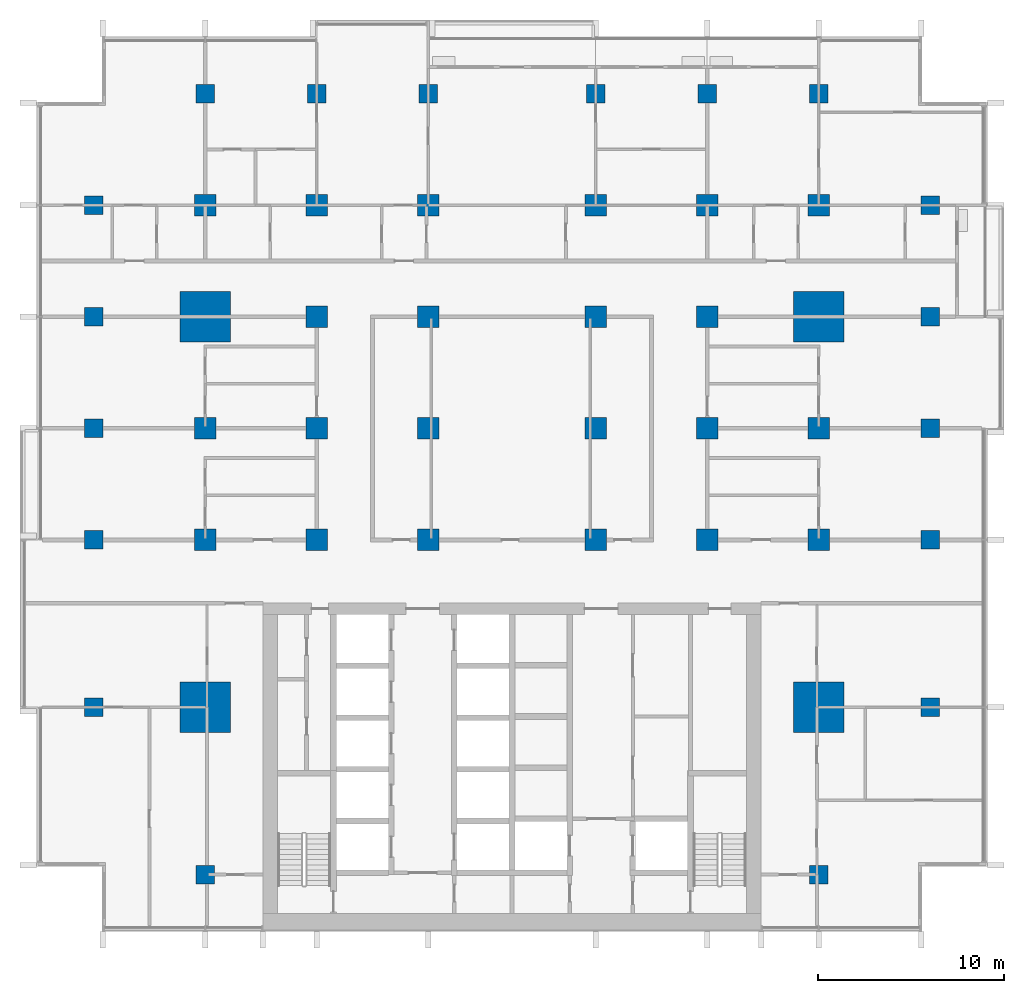
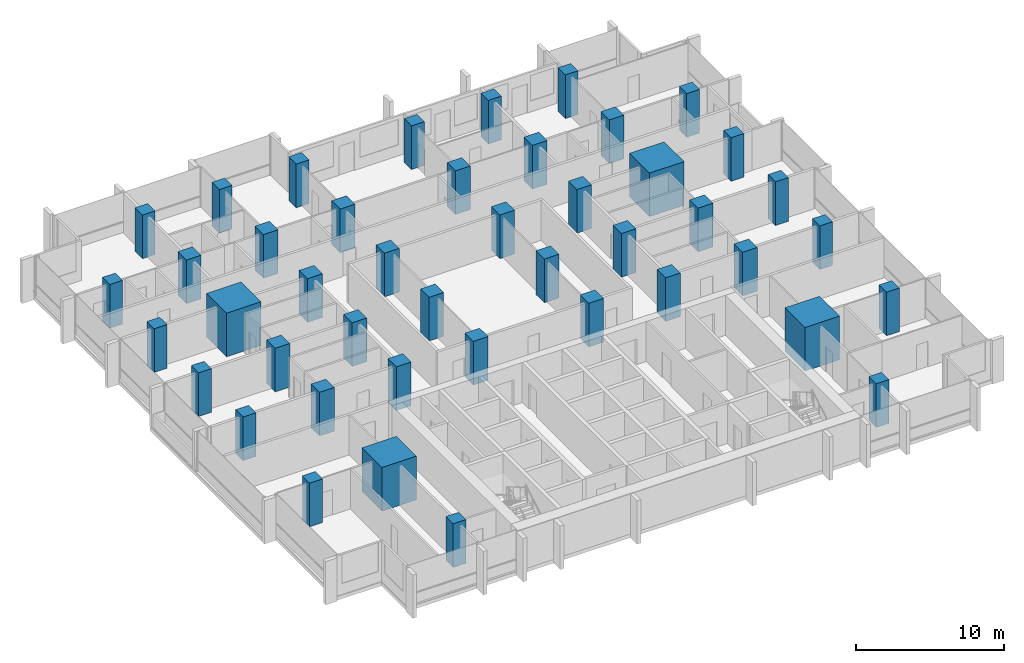
# One storey, part 1 of 17: 44 columns.
"""IFC4 building model written with IfcOpenShell, lengths in metres."""

import ifcopenshell
import ifcopenshell.guid

model = None  # the IFC model being written
_history = None  # IfcOwnerHistory: only IFC2X3 demands one
_inside = {}  # id of a spatial element -> (the spatial element, [elements in it])
_under = {}  # id of a project, library or spatial element -> (it, [spatial elements below it])
_declared = {}  # id of a project -> (the project, [libraries it declares])
_typed = {}  # id of a type object -> (the type object, [elements of that type])
_made_of = {}  # id of a material, layer set ... -> (it, [elements and type objects made of it])


def new_model(schema):
    """Start an empty IFC model of exactly this schema.

    Asked for "IFC4X3", IfcOpenShell would pick the latest addendum, in which some entities
    have other attributes; the version numbers below select the first issue.
    IFC2X3 requires an IfcOwnerHistory on every rooted entity: one is made here for all.
    """
    global model, _history
    if schema == "IFC4X3":
        model = ifcopenshell.file(schema_version=(4, 3, 0, 0))
    else:
        model = ifcopenshell.file(schema=schema)
    _inside.clear()
    _under.clear()
    _declared.clear()
    _typed.clear()
    _made_of.clear()
    _history = None
    if model.schema == "IFC2X3":
        org = make("IfcOrganization", Name="unknown")
        user = make(
            "IfcPersonAndOrganization",
            ThePerson=make("IfcPerson", FamilyName="unknown"),
            TheOrganization=org,
        )
        app = make(
            "IfcApplication",
            ApplicationDeveloper=org,
            Version="unknown",
            ApplicationFullName="unknown",
            ApplicationIdentifier="unknown",
        )
        _history = make(
            "IfcOwnerHistory",
            OwningUser=user,
            OwningApplication=app,
            ChangeAction="ADDED",
            CreationDate=0,
        )
    return model


def make(cls, **values):
    """One entity of the class cls with the attributes given. An attribute that is None is left unset."""
    return model.create_entity(
        cls, **{name: value for name, value in values.items() if value is not None}
    )


def rooted(cls, **values):
    """An entity with a GlobalId (a new one), such as an element, a storey or a relation."""
    return make(cls, GlobalId=ifcopenshell.guid.new(), OwnerHistory=_history, **values)


def si_unit(unit_type, name, prefix=None):
    """IfcSIUnit, for example si_unit("LENGTHUNIT", "METRE", prefix="MILLI")."""
    return make("IfcSIUnit", UnitType=unit_type, Prefix=prefix, Name=name)


def assignment(units):
    """IfcUnitAssignment: the units of a project."""
    return None if units is None else make("IfcUnitAssignment", Units=units)


def point(xyz):
    """IfcCartesianPoint."""
    return None if xyz is None else make("IfcCartesianPoint", Coordinates=xyz)


def direction(xyz):
    """IfcDirection."""
    return None if xyz is None else make("IfcDirection", DirectionRatios=xyz)


def frame(location, z_axis=None, x_axis=None):
    """IfcAxis2Placement3D, a coordinate frame: its origin and axes. An axis left out is left unset."""
    return make(
        "IfcAxis2Placement3D",
        Location=point(location),
        Axis=direction(z_axis),
        RefDirection=direction(x_axis),
    )


def frame_2d(location, x_axis=None):
    """IfcAxis2Placement2D, a coordinate frame in the plane: its origin and x axis."""
    return make(
        "IfcAxis2Placement2D", Location=point(location), RefDirection=direction(x_axis)
    )


def origin():
    """The frame at (0, 0, 0) with its axes left unset."""
    return frame((0.0, 0.0, 0.0))


def origin_2d():
    """The frame at (0, 0) in the plane with its x axis left unset."""
    return frame_2d((0.0, 0.0))


def place(relative_to, where):
    """IfcLocalPlacement: puts the frame where relative to a parent placement (None: the world)."""
    return make(
        "IfcLocalPlacement", PlacementRelTo=relative_to, RelativePlacement=where
    )


def context(
    kind, dimensions, precision=None, world=None, true_north=None, identifier=None
):
    """IfcGeometricRepresentationContext, for example the 3D "Model" context."""
    return make(
        "IfcGeometricRepresentationContext",
        ContextIdentifier=identifier,
        ContextType=kind,
        CoordinateSpaceDimension=dimensions,
        Precision=precision,
        WorldCoordinateSystem=world,
        TrueNorth=true_north,
    )


def subcontext(parent, identifier, kind, view, scale=None):
    """IfcGeometricRepresentationSubContext, for example "Body" below "Model"."""
    return make(
        "IfcGeometricRepresentationSubContext",
        ContextIdentifier=identifier,
        ContextType=kind,
        ParentContext=parent,
        TargetScale=scale,
        TargetView=view,
    )


def project(units=None, contexts=None):
    """IfcProject with its units and contexts."""
    return rooted(
        "IfcProject",
        Name="project",
        RepresentationContexts=contexts,
        UnitsInContext=assignment(units),
    )


def spatial(cls, under=None, at=None, **own):
    """A site, building, storey or space (cls), placed at a placement, below another one or the project."""
    s = rooted(cls, ObjectPlacement=at, **own)
    if under is not None:
        _under.setdefault(under.id(), (under, []))[1].append(s)
    return s


def profile(cls, at=None, kind="AREA", **sizes):
    """A parametric profile (cls). Its sizes go by their IFC names, for example OverallWidth=200.0."""
    return make(cls, ProfileType=kind, Position=at, **sizes)


def rectangle(**sizes):
    """IfcRectangleProfileDef."""
    return profile("IfcRectangleProfileDef", **sizes)


def extrude(swept, where, along, depth):
    """IfcExtrudedAreaSolid: the profile swept, set in the frame where, extruded along a direction by depth."""
    return make(
        "IfcExtrudedAreaSolid",
        SweptArea=swept,
        Position=where,
        ExtrudedDirection=direction(along),
        Depth=depth,
    )


def shape(context_of_items, identifier, shape_type, items):
    """IfcShapeRepresentation: the items that make up one representation, for example the "Body"."""
    return make(
        "IfcShapeRepresentation",
        ContextOfItems=context_of_items,
        RepresentationIdentifier=identifier,
        RepresentationType=shape_type,
        Items=items,
    )


def material(Name=None, Category=None):
    """IfcMaterial."""
    return make("IfcMaterial", Name=Name, Category=Category)


def material_profile(
    of_material, cross_section, Name=None, Category=None, Priority=None
):
    """IfcMaterialProfile: a cross section and its material."""
    return make(
        "IfcMaterialProfile",
        Name=Name,
        Material=of_material,
        Profile=cross_section,
        Priority=Priority,
        Category=Category,
    )


def profile_set(profiles, Name=None, composite=None):
    """IfcMaterialProfileSet."""
    return make(
        "IfcMaterialProfileSet",
        Name=Name,
        MaterialProfiles=profiles,
        CompositeProfile=composite,
    )


def made_of(thing, what):
    """Note that an element or type object is made of a material, layer set ...; save() writes the relation."""
    if what is not None:
        _made_of.setdefault(what.id(), (what, []))[1].append(thing)
    return thing


def type_object(cls, material=None, **own):
    """A type object (cls), such as IfcWallType, which elements share."""
    return made_of(rooted(cls, **own), material)


def element(
    cls,
    number,
    at=None,
    inside=None,
    cuts=None,
    type_object=None,
    material=None,
    context=None,
    identifier="Body",
    shape_type=None,
    held_by="IfcProductDefinitionShape",
    body=None,
    shapes=None,
    **own,
):
    """One element of the class cls, such as IfcWall. Its Tag is "e" and its number.

    at: its placement. inside: the storey or other place that contains it. cuts: it is an
    opening in that element (IfcRelVoidsElement). A single representation is given by context,
    identifier, shape_type and body (its items); several are given by shapes. held_by: the class
    of the entity that holds the representations. save() writes the other relations.
    """
    e = rooted(cls, Tag="e%d" % number, ObjectPlacement=at, **own)
    if body is not None:
        shapes = [shape(context, identifier, shape_type, body)]
    if shapes is not None:
        e.Representation = make(held_by, Representations=shapes)
    if inside is not None:
        _inside.setdefault(inside.id(), (inside, []))[1].append(e)
    if cuts is not None:
        rooted(
            "IfcRelVoidsElement", RelatingBuildingElement=cuts, RelatedOpeningElement=e
        )
    if type_object is not None:
        _typed.setdefault(type_object.id(), (type_object, []))[1].append(e)
    return made_of(e, material)


def aggregate(whole, parts):
    """IfcRelAggregates: a whole, such as a stair, and the parts it consists of."""
    return rooted("IfcRelAggregates", RelatingObject=whole, RelatedObjects=parts)


def save(model, path):
    """Write the relations noted so far, then the file.

    IfcRelAggregates (storeys below a building ...), IfcRelContainedInSpatialStructure (elements
    in a storey), IfcRelDefinesByType, IfcRelAssociatesMaterial and IfcRelDeclares: one each for
    every whole, place, type object, material and project.
    """
    for whole, parts in _under.values():
        aggregate(whole, parts)
    for where, things in _inside.values():
        rooted(
            "IfcRelContainedInSpatialStructure",
            RelatedElements=things,
            RelatingStructure=where,
        )
    for kind, things in _typed.values():
        rooted("IfcRelDefinesByType", RelatedObjects=things, RelatingType=kind)
    for what, things in _made_of.values():
        rooted("IfcRelAssociatesMaterial", RelatedObjects=things, RelatingMaterial=what)
    for by, libraries in _declared.values():
        rooted("IfcRelDeclares", RelatingContext=by, RelatedDefinitions=libraries)
    model.write(path)


model = new_model("IFC4")

# Units and contexts
model_context = context("Model", 3, precision=1e-05, world=origin(), true_north=direction((0.0, 1.0)))
body_context = subcontext(model_context, "Body", "Model", "MODEL_VIEW")
ifc_project = project(units=[si_unit("LENGTHUNIT", "METRE"), si_unit("AREAUNIT", "SQUARE_METRE"), si_unit("VOLUMEUNIT", "CUBIC_METRE"), si_unit("PLANEANGLEUNIT", "RADIAN"), si_unit("MASSUNIT", "GRAM", prefix="KILO")], contexts=[model_context])

# Site, building, storey
site_placement = place(None, origin())
site = spatial("IfcSite", under=ifc_project, at=site_placement, CompositionType="ELEMENT")
building_placement = place(site_placement, origin())
building = spatial("IfcBuilding", under=site, at=building_placement, Name="Finial Court Residences", CompositionType="ELEMENT")
storey_placement = place(building_placement, frame((0.0, 0.0, 124.300048828125)))
storey = spatial("IfcBuildingStorey", under=building, at=storey_placement, Name="L31", CompositionType="ELEMENT", Elevation=124.300048828125)

# Columns
ifc_material = material(Name="Concrete C70/85", Category="concrete")
ifc_material_profile_1 = material_profile(ifc_material, rectangle(XDim=1.14990234375, YDim=1.14990234375, at=origin_2d()), Name="1150x1150")
ifc_profile_set_1 = profile_set([ifc_material_profile_1], Name="Concrete C70/85")
column_type_1 = type_object("IfcColumnType", Name="Interior column 1150x1150 Concrete C70/85", PredefinedType="COLUMN", material=ifc_profile_set_1)
for number, where, z_axis, x_axis, name in (
    (1, (-16.5, -4.5, 0.0), (0.0, 0.0, 1.0), (1.0, 0.0, 0.0), "S:COL:L31:C4"),
    (2, (-16.5, 1.5, 0.0), (0.0, 0.0, 1.0), (1.0, 0.0, 0.0), "S:COL:L31:C5"),
    (3, (-16.5, 13.5, 0.0), (0.0, 0.0, 1.0), (1.0, 0.0, 0.0), "S:COL:L31:C7"),
    (4, (-10.5, -4.5, 0.0), (0.0, 0.0, 1.0), (1.0, 0.0, 0.0), "S:COL:L31:D4"),
    (5, (-10.5, 1.5, 0.0), (0.0, 0.0, 1.0), (1.0, 0.0, 0.0), "S:COL:L31:D5"),
    (6, (-10.5, 7.5, 0.0), (0.0, 0.0, 1.0), (1.0, 0.0, 0.0), "S:COL:L31:D6"),
    (7, (-10.5, 13.5, 0.0), (0.0, 0.0, 1.0), (1.0, 0.0, 0.0), "S:COL:L31:D7"),
    (8, (-4.5, -4.5, 0.0), (0.0, 0.0, 1.0), (1.0, 0.0, 0.0), "S:COL:L31:E4"),
    (9, (-4.5, 1.5, 0.0), (0.0, 0.0, 1.0), (1.0, 0.0, 0.0), "S:COL:L31:E5"),
    (10, (-4.5, 7.5, 0.0), (0.0, 0.0, 1.0), (1.0, 0.0, 0.0), "S:COL:L31:E6"),
    (11, (-4.5, 13.5, 0.0), (0.0, 0.0, 1.0), (1.0, 0.0, 0.0), "S:COL:L31:E7"),
    (12, (4.5, -4.5, 0.0), (0.0, 0.0, 1.0), (1.0, 0.0, 0.0), "S:COL:L31:F4"),
    (13, (4.5, 1.5, 0.0), (0.0, 0.0, 1.0), (1.0, 0.0, 0.0), "S:COL:L31:F5"),
    (14, (4.5, 7.5, 0.0), (0.0, 0.0, 1.0), (1.0, 0.0, 0.0), "S:COL:L31:F6"),
    (15, (4.5, 13.5, 0.0), (0.0, 0.0, 1.0), (1.0, 0.0, 0.0), "S:COL:L31:F7"),
    (16, (10.5, -4.5, 0.0), (0.0, 0.0, 1.0), (1.0, 0.0, 0.0), "S:COL:L31:G4"),
    (17, (10.5, 1.5, 0.0), (0.0, 0.0, 1.0), (1.0, 0.0, 0.0), "S:COL:L31:G5"),
    (18, (10.5, 7.5, 0.0), (0.0, 0.0, 1.0), (1.0, 0.0, 0.0), "S:COL:L31:G6"),
    (19, (10.5, 13.5, 0.0), (0.0, 0.0, 1.0), (1.0, 0.0, 0.0), "S:COL:L31:G7"),
    (20, (16.5, -4.5, 0.0), (0.0, 0.0, 1.0), (1.0, 0.0, 0.0), "S:COL:L31:H4"),
    (21, (16.5, 1.5, 0.0), (0.0, 0.0, 1.0), (1.0, 0.0, 0.0), "S:COL:L31:H5"),
    (22, (16.5, 13.5, 0.0), (0.0, 0.0, 1.0), (1.0, 0.0, 0.0), "S:COL:L31:H7"),
):
    element("IfcColumn", number, at=place(storey_placement, frame(where, z_axis=z_axis, x_axis=x_axis)), inside=storey, type_object=column_type_1, Name=name, PredefinedType="COLUMN", context=body_context, shape_type="SweptSolid", body=[
        extrude(rectangle(XDim=1.14990234375, YDim=1.14990234375, at=origin_2d()), origin(), (0.0, 0.0, 1.0), 3.599853515625),
    ])
ifc_material_profile_2 = material_profile(ifc_material, rectangle(XDim=2.699951171875, YDim=2.699951171875, at=origin_2d()), Name="2700x2700")
ifc_profile_set_2 = profile_set([ifc_material_profile_2], Name="Concrete C70/85")
column_type_2 = type_object("IfcColumnType", Name="Mega column 2700x2700 Concrete C70/85", PredefinedType="COLUMN", material=ifc_profile_set_2)
for number, where, z_axis, x_axis, name in (
    (23, (-16.5, -13.5, 0.0), (0.0, 0.0, 1.0), (1.0, 0.0, 0.0), "S:COL:L31:C3"),
    (24, (-16.5, 7.5, 0.0), (0.0, 0.0, 1.0), (1.0, 0.0, 0.0), "S:COL:L31:C6"),
    (25, (16.5, -13.5, 0.0), (0.0, 0.0, 1.0), (1.0, 0.0, 0.0), "S:COL:L31:H3"),
    (26, (16.5, 7.5, 0.0), (0.0, 0.0, 1.0), (1.0, 0.0, 0.0), "S:COL:L31:H6"),
):
    element("IfcColumn", number, at=place(storey_placement, frame(where, z_axis=z_axis, x_axis=x_axis)), inside=storey, type_object=column_type_2, Name=name, PredefinedType="COLUMN", context=body_context, shape_type="SweptSolid", body=[
        extrude(rectangle(XDim=2.699951171875, YDim=2.699951171875, at=origin_2d()), origin(), (0.0, 0.0, 1.0), 3.599853515625),
    ])
ifc_material_profile_3 = material_profile(ifc_material, rectangle(XDim=1.0, YDim=1.0, at=origin_2d()), Name="1000x1000")
ifc_profile_set_3 = profile_set([ifc_material_profile_3], Name="Concrete C70/85")
column_type_3 = type_object("IfcColumnType", Name="Perimeter column 1000x1000 Concrete C70/85", PredefinedType="COLUMN", material=ifc_profile_set_3)
for number, where, z_axis, x_axis, name in (
    (27, (-22.5, -13.5, 0.0), (0.0, 0.0, 1.0), (1.0, 0.0, 0.0), "S:COL:L31:B3"),
    (28, (-22.5, -4.5, 0.0), (0.0, 0.0, 1.0), (1.0, 0.0, 0.0), "S:COL:L31:B4"),
    (29, (-22.5, 1.5, 0.0), (0.0, 0.0, 1.0), (1.0, 0.0, 0.0), "S:COL:L31:B5"),
    (30, (-22.5, 7.5, 0.0), (0.0, 0.0, 1.0), (1.0, 0.0, 0.0), "S:COL:L31:B6"),
    (31, (-22.5, 13.5, 0.0), (0.0, 0.0, 1.0), (1.0, 0.0, 0.0), "S:COL:L31:B7"),
    (32, (-16.5, -22.5, 0.0), (0.0, 0.0, 1.0), (1.0, 0.0, 0.0), "S:COL:L31:C2"),
    (33, (-16.5, 19.5, 0.0), (0.0, 0.0, 1.0), (1.0, 0.0, 0.0), "S:COL:L31:C8"),
    (34, (-10.5, 19.5, 0.0), (0.0, 0.0, 1.0), (1.0, 0.0, 0.0), "S:COL:L31:D8"),
    (35, (-4.5, 19.5, 0.0), (0.0, 0.0, 1.0), (1.0, 0.0, 0.0), "S:COL:L31:E8"),
    (36, (4.5, 19.5, 0.0), (0.0, 0.0, 1.0), (1.0, 0.0, 0.0), "S:COL:L31:F8"),
    (37, (10.5, 19.5, 0.0), (0.0, 0.0, 1.0), (1.0, 0.0, 0.0), "S:COL:L31:G8"),
    (38, (16.5, -22.5, 0.0), (0.0, 0.0, 1.0), (1.0, 0.0, 0.0), "S:COL:L31:H2"),
    (39, (16.5, 19.5, 0.0), (0.0, 0.0, 1.0), (1.0, 0.0, 0.0), "S:COL:L31:H8"),
    (40, (22.5, -13.5, 0.0), (0.0, 0.0, 1.0), (1.0, 0.0, 0.0), "S:COL:L31:I3"),
    (41, (22.5, -4.5, 0.0), (0.0, 0.0, 1.0), (1.0, 0.0, 0.0), "S:COL:L31:I4"),
    (42, (22.5, 1.5, 0.0), (0.0, 0.0, 1.0), (1.0, 0.0, 0.0), "S:COL:L31:I5"),
    (43, (22.5, 7.5, 0.0), (0.0, 0.0, 1.0), (1.0, 0.0, 0.0), "S:COL:L31:I6"),
    (44, (22.5, 13.5, 0.0), (0.0, 0.0, 1.0), (1.0, 0.0, 0.0), "S:COL:L31:I7"),
):
    element("IfcColumn", number, at=place(storey_placement, frame(where, z_axis=z_axis, x_axis=x_axis)), inside=storey, type_object=column_type_3, Name=name, PredefinedType="COLUMN", context=body_context, shape_type="SweptSolid", body=[
        extrude(rectangle(XDim=1.0, YDim=1.0, at=origin_2d()), origin(), (0.0, 0.0, 1.0), 3.599853515625),
    ])

save(model, "model.ifc")
